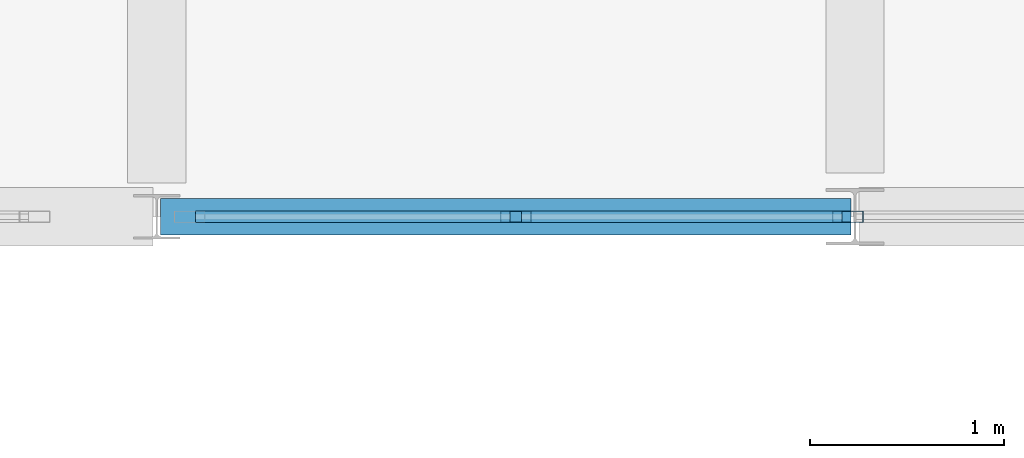
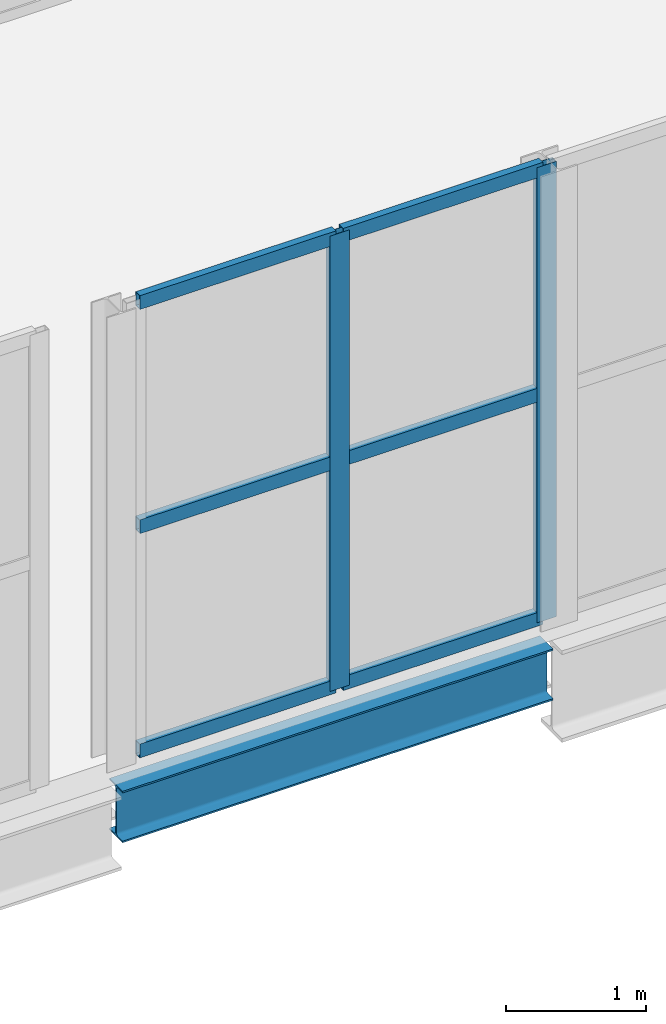
# One storey, part 53 of 138: 8 members, 1 beam, 1 element without a shape of its own.
"""IFC4 building model written with IfcOpenShell, lengths in metres."""

import ifcopenshell
import ifcopenshell.guid

model = None  # the IFC model being written
_history = None  # IfcOwnerHistory: only IFC2X3 demands one
_inside = {}  # id of a spatial element -> (the spatial element, [elements in it])
_under = {}  # id of a project, library or spatial element -> (it, [spatial elements below it])
_declared = {}  # id of a project -> (the project, [libraries it declares])
_typed = {}  # id of a type object -> (the type object, [elements of that type])
_made_of = {}  # id of a material, layer set ... -> (it, [elements and type objects made of it])


def new_model(schema):
    """Start an empty IFC model of exactly this schema.

    Asked for "IFC4X3", IfcOpenShell would pick the latest addendum, in which some entities
    have other attributes; the version numbers below select the first issue.
    IFC2X3 requires an IfcOwnerHistory on every rooted entity: one is made here for all.
    """
    global model, _history
    if schema == "IFC4X3":
        model = ifcopenshell.file(schema_version=(4, 3, 0, 0))
    else:
        model = ifcopenshell.file(schema=schema)
    _inside.clear()
    _under.clear()
    _declared.clear()
    _typed.clear()
    _made_of.clear()
    _history = None
    if model.schema == "IFC2X3":
        org = make("IfcOrganization", Name="unknown")
        user = make(
            "IfcPersonAndOrganization",
            ThePerson=make("IfcPerson", FamilyName="unknown"),
            TheOrganization=org,
        )
        app = make(
            "IfcApplication",
            ApplicationDeveloper=org,
            Version="unknown",
            ApplicationFullName="unknown",
            ApplicationIdentifier="unknown",
        )
        _history = make(
            "IfcOwnerHistory",
            OwningUser=user,
            OwningApplication=app,
            ChangeAction="ADDED",
            CreationDate=0,
        )
    return model


def make(cls, **values):
    """One entity of the class cls with the attributes given. An attribute that is None is left unset."""
    return model.create_entity(
        cls, **{name: value for name, value in values.items() if value is not None}
    )


def rooted(cls, **values):
    """An entity with a GlobalId (a new one), such as an element, a storey or a relation."""
    return make(cls, GlobalId=ifcopenshell.guid.new(), OwnerHistory=_history, **values)


def si_unit(unit_type, name, prefix=None):
    """IfcSIUnit, for example si_unit("LENGTHUNIT", "METRE", prefix="MILLI")."""
    return make("IfcSIUnit", UnitType=unit_type, Prefix=prefix, Name=name)


def assignment(units):
    """IfcUnitAssignment: the units of a project."""
    return None if units is None else make("IfcUnitAssignment", Units=units)


def point(xyz):
    """IfcCartesianPoint."""
    return None if xyz is None else make("IfcCartesianPoint", Coordinates=xyz)


def direction(xyz):
    """IfcDirection."""
    return None if xyz is None else make("IfcDirection", DirectionRatios=xyz)


def frame(location, z_axis=None, x_axis=None):
    """IfcAxis2Placement3D, a coordinate frame: its origin and axes. An axis left out is left unset."""
    return make(
        "IfcAxis2Placement3D",
        Location=point(location),
        Axis=direction(z_axis),
        RefDirection=direction(x_axis),
    )


def frame_2d(location, x_axis=None):
    """IfcAxis2Placement2D, a coordinate frame in the plane: its origin and x axis."""
    return make(
        "IfcAxis2Placement2D", Location=point(location), RefDirection=direction(x_axis)
    )


def origin():
    """The frame at (0, 0, 0) with its axes left unset."""
    return frame((0.0, 0.0, 0.0))


def origin_2d():
    """The frame at (0, 0) in the plane with its x axis left unset."""
    return frame_2d((0.0, 0.0))


def place(relative_to, where):
    """IfcLocalPlacement: puts the frame where relative to a parent placement (None: the world)."""
    return make(
        "IfcLocalPlacement", PlacementRelTo=relative_to, RelativePlacement=where
    )


def context(
    kind, dimensions, precision=None, world=None, true_north=None, identifier=None
):
    """IfcGeometricRepresentationContext, for example the 3D "Model" context."""
    return make(
        "IfcGeometricRepresentationContext",
        ContextIdentifier=identifier,
        ContextType=kind,
        CoordinateSpaceDimension=dimensions,
        Precision=precision,
        WorldCoordinateSystem=world,
        TrueNorth=true_north,
    )


def subcontext(parent, identifier, kind, view, scale=None):
    """IfcGeometricRepresentationSubContext, for example "Body" below "Model"."""
    return make(
        "IfcGeometricRepresentationSubContext",
        ContextIdentifier=identifier,
        ContextType=kind,
        ParentContext=parent,
        TargetScale=scale,
        TargetView=view,
    )


def project(units=None, contexts=None):
    """IfcProject with its units and contexts."""
    return rooted(
        "IfcProject",
        Name="project",
        RepresentationContexts=contexts,
        UnitsInContext=assignment(units),
    )


def spatial(cls, under=None, at=None, **own):
    """A site, building, storey or space (cls), placed at a placement, below another one or the project."""
    s = rooted(cls, ObjectPlacement=at, **own)
    if under is not None:
        _under.setdefault(under.id(), (under, []))[1].append(s)
    return s


def profile(cls, at=None, kind="AREA", **sizes):
    """A parametric profile (cls). Its sizes go by their IFC names, for example OverallWidth=200.0."""
    return make(cls, ProfileType=kind, Position=at, **sizes)


def hollow_rectangle(**sizes):
    """IfcRectangleHollowProfileDef."""
    return profile("IfcRectangleHollowProfileDef", **sizes)


def i_section(**sizes):
    """IfcIShapeProfileDef."""
    return profile("IfcIShapeProfileDef", **sizes)


def extrude(swept, where, along, depth):
    """IfcExtrudedAreaSolid: the profile swept, set in the frame where, extruded along a direction by depth."""
    return make(
        "IfcExtrudedAreaSolid",
        SweptArea=swept,
        Position=where,
        ExtrudedDirection=direction(along),
        Depth=depth,
    )


def shape(context_of_items, identifier, shape_type, items):
    """IfcShapeRepresentation: the items that make up one representation, for example the "Body"."""
    return make(
        "IfcShapeRepresentation",
        ContextOfItems=context_of_items,
        RepresentationIdentifier=identifier,
        RepresentationType=shape_type,
        Items=items,
    )


def material(Name=None, Category=None):
    """IfcMaterial."""
    return make("IfcMaterial", Name=Name, Category=Category)


def layer(
    of_material, thickness, ventilated=None, Name=None, Category=None, Priority=None
):
    """IfcMaterialLayer: one layer of a wall or slab, of a material (None: an air gap)."""
    return make(
        "IfcMaterialLayer",
        Material=of_material,
        LayerThickness=thickness,
        IsVentilated=ventilated,
        Name=Name,
        Category=Category,
        Priority=Priority,
    )


def layer_set(layers, Name=None):
    """IfcMaterialLayerSet."""
    return make("IfcMaterialLayerSet", MaterialLayers=layers, LayerSetName=Name)


def material_profile(
    of_material, cross_section, Name=None, Category=None, Priority=None
):
    """IfcMaterialProfile: a cross section and its material."""
    return make(
        "IfcMaterialProfile",
        Name=Name,
        Material=of_material,
        Profile=cross_section,
        Priority=Priority,
        Category=Category,
    )


def profile_set(profiles, Name=None, composite=None):
    """IfcMaterialProfileSet."""
    return make(
        "IfcMaterialProfileSet",
        Name=Name,
        MaterialProfiles=profiles,
        CompositeProfile=composite,
    )


def made_of(thing, what):
    """Note that an element or type object is made of a material, layer set ...; save() writes the relation."""
    if what is not None:
        _made_of.setdefault(what.id(), (what, []))[1].append(thing)
    return thing


def type_object(cls, material=None, **own):
    """A type object (cls), such as IfcWallType, which elements share."""
    return made_of(rooted(cls, **own), material)


def element(
    cls,
    number,
    at=None,
    inside=None,
    cuts=None,
    type_object=None,
    material=None,
    context=None,
    identifier="Body",
    shape_type=None,
    held_by="IfcProductDefinitionShape",
    body=None,
    shapes=None,
    **own,
):
    """One element of the class cls, such as IfcWall. Its Tag is "e" and its number.

    at: its placement. inside: the storey or other place that contains it. cuts: it is an
    opening in that element (IfcRelVoidsElement). A single representation is given by context,
    identifier, shape_type and body (its items); several are given by shapes. held_by: the class
    of the entity that holds the representations. save() writes the other relations.
    """
    e = rooted(cls, Tag="e%d" % number, ObjectPlacement=at, **own)
    if body is not None:
        shapes = [shape(context, identifier, shape_type, body)]
    if shapes is not None:
        e.Representation = make(held_by, Representations=shapes)
    if inside is not None:
        _inside.setdefault(inside.id(), (inside, []))[1].append(e)
    if cuts is not None:
        rooted(
            "IfcRelVoidsElement", RelatingBuildingElement=cuts, RelatedOpeningElement=e
        )
    if type_object is not None:
        _typed.setdefault(type_object.id(), (type_object, []))[1].append(e)
    return made_of(e, material)


def aggregate(whole, parts):
    """IfcRelAggregates: a whole, such as a stair, and the parts it consists of."""
    return rooted("IfcRelAggregates", RelatingObject=whole, RelatedObjects=parts)


def save(model, path):
    """Write the relations noted so far, then the file.

    IfcRelAggregates (storeys below a building ...), IfcRelContainedInSpatialStructure (elements
    in a storey), IfcRelDefinesByType, IfcRelAssociatesMaterial and IfcRelDeclares: one each for
    every whole, place, type object, material and project.
    """
    for whole, parts in _under.values():
        aggregate(whole, parts)
    for where, things in _inside.values():
        rooted(
            "IfcRelContainedInSpatialStructure",
            RelatedElements=things,
            RelatingStructure=where,
        )
    for kind, things in _typed.values():
        rooted("IfcRelDefinesByType", RelatedObjects=things, RelatingType=kind)
    for what, things in _made_of.values():
        rooted("IfcRelAssociatesMaterial", RelatedObjects=things, RelatingMaterial=what)
    for by, libraries in _declared.values():
        rooted("IfcRelDeclares", RelatingContext=by, RelatedDefinitions=libraries)
    model.write(path)


model = new_model("IFC4")

# Units and contexts
model_context = context("Model", 3, precision=1e-05, world=origin(), true_north=direction((0.0, 1.0)))
body_context = subcontext(model_context, "Body", "Model", "MODEL_VIEW")
ifc_project = project(units=[si_unit("LENGTHUNIT", "METRE"), si_unit("AREAUNIT", "SQUARE_METRE"), si_unit("VOLUMEUNIT", "CUBIC_METRE"), si_unit("PLANEANGLEUNIT", "RADIAN"), si_unit("MASSUNIT", "GRAM", prefix="KILO")], contexts=[model_context])

# Site, building, storey
site_placement = place(None, origin())
site = spatial("IfcSite", under=ifc_project, at=site_placement, CompositionType="ELEMENT")
building_placement = place(site_placement, origin())
building = spatial("IfcBuilding", under=site, at=building_placement, Name="Vinh Khe Railworks Police Headquarters", CompositionType="ELEMENT")
storey_placement = place(building_placement, frame((0.0, 0.0, 9.0)))
storey = spatial("IfcBuildingStorey", under=building, at=storey_placement, Name="L02", CompositionType="ELEMENT", Elevation=9.0)

# Curtain wall, members
ifc_material_1 = material(Name="Anodised aluminium and solar-control glass", Category="aluminium")
ifc_layer = layer(ifc_material_1, 0.159912109375)
ifc_layer_set = layer_set([ifc_layer], Name="Anodised aluminium and solar-control glass")
curtain_wall_type = type_object("IfcCurtainWallType", Name="CW-SHOPFRONT", PredefinedType="USERDEFINED", material=ifc_layer_set)
curtain_wall_placement = place(storey_placement, origin())
curtain_wall = element("IfcCurtainWall", 1, at=curtain_wall_placement, inside=storey, type_object=curtain_wall_type, Name="Link Bridge South Glazing L02 Bay 5", ObjectType="UNITISED GLAZING", PredefinedType="USERDEFINED")
ifc_material_2 = material(Name="Anodised aluminium 6063-T6", Category="aluminium")
ifc_material_profile_1 = material_profile(ifc_material_2, hollow_rectangle(XDim=0.06005859375, YDim=0.159912109375, WallThickness=0.00390625, at=origin_2d()), Name="CW-M 60x160x4")
ifc_profile_set_1 = profile_set([ifc_material_profile_1], Name="Anodised aluminium 6063-T6")
member_type_1 = type_object("IfcMemberType", Name="MULL-CWM-01", PredefinedType="MULLION", material=ifc_profile_set_1)
member_1_placement = place(storey_placement, frame((61.85205078125, 96.0, 0.0), z_axis=(0.0, 0.0, 1.0), x_axis=(0.0, 1.0, 0.0)))
member_1 = element("IfcMember", 2, at=member_1_placement, type_object=member_type_1, Name="CW-03 mullion 2", PredefinedType="MULLION", context=body_context, shape_type="SweptSolid", body=[
    extrude(hollow_rectangle(XDim=0.06005859375, YDim=0.159912109375, WallThickness=0.00390625, at=origin_2d()), origin(), (0.0, 0.0, 1.0), 3.97998046875),
])
member_2_placement = place(storey_placement, frame((63.56396484375, 96.0, 0.0), z_axis=(0.0, 0.0, 1.0), x_axis=(0.0, 1.0, 0.0)))
member_2 = element("IfcMember", 3, at=member_2_placement, type_object=member_type_1, Name="CW-03 mullion 3", PredefinedType="MULLION", context=body_context, shape_type="SweptSolid", body=[
    extrude(hollow_rectangle(XDim=0.06005859375, YDim=0.159912109375, WallThickness=0.00390625, at=origin_2d()), origin(), (0.0, 0.0, 1.0), 3.97998046875),
])

# Beam
ifc_material_3 = material(Name="Steel S355JR", Category="steel")
ifc_material_profile_2 = material_profile(ifc_material_3, i_section(OverallWidth=0.18994140625, OverallDepth=0.449951171875, WebThickness=0.009521484375, FlangeThickness=0.0146484375, FilletRadius=0.02099609375, at=origin_2d()), Name="IPE 450")
ifc_profile_set_2 = profile_set([ifc_material_profile_2], Name="Steel S355JR")
beam_type = type_object("IfcBeamType", Name="Steel Girder IPE 450", PredefinedType="BEAM", material=ifc_profile_set_2)
beam_placement = place(storey_placement, frame((60.02001953125, 96.0, -0.445068359375), z_axis=(1.0, 0.0, 0.0), x_axis=(0.0, 1.0, 0.0)))
element("IfcBeam", 4, at=beam_placement, inside=storey, type_object=beam_type, Name="Girder BM-L02-EW-SB-20-0810", PredefinedType="BEAM", context=body_context, shape_type="SweptSolid", body=[
    extrude(i_section(OverallWidth=0.18994140625, OverallDepth=0.449951171875, WebThickness=0.009521484375, FlangeThickness=0.0146484375, FilletRadius=0.02099609375, at=origin_2d()), origin(), (0.0, 0.0, 1.0), 3.56005859375),
])

# Member
ifc_material_profile_3 = material_profile(ifc_material_2, hollow_rectangle(XDim=0.06005859375, YDim=0.1201171875, WallThickness=0.00390625, at=origin_2d()), Name="CW-T 60x120x4")
ifc_profile_set_3 = profile_set([ifc_material_profile_3], Name="Anodised aluminium 6063-T6")
member_type_2 = type_object("IfcMemberType", Name="TRAN-CWT-01", PredefinedType="USERDEFINED", material=ifc_profile_set_3)
member_3_placement = place(storey_placement, frame((60.199951171875, 96.0, 0.030029296875), z_axis=(1.0, 0.0, 0.0), x_axis=(0.0, 1.0, 0.0)))
member_3 = element("IfcMember", 5, at=member_3_placement, type_object=member_type_2, Name="CW-03 transom 1.1", ObjectType="TRANSOM", PredefinedType="USERDEFINED", context=body_context, shape_type="SweptSolid", body=[
    extrude(hollow_rectangle(XDim=0.06005859375, YDim=0.1201171875, WallThickness=0.00390625, at=origin_2d()), origin(), (0.0, 0.0, 1.0), 1.6220703125),
])

member_4_placement = place(storey_placement, frame((60.199951171875, 96.0, 1.989990234375), z_axis=(1.0, 0.0, 0.0), x_axis=(0.0, 1.0, 0.0)))
member_4 = element("IfcMember", 6, at=member_4_placement, type_object=member_type_2, Name="CW-03 transom 1.2", ObjectType="TRANSOM", PredefinedType="USERDEFINED", context=body_context, shape_type="SweptSolid", body=[
    extrude(hollow_rectangle(XDim=0.06005859375, YDim=0.1201171875, WallThickness=0.00390625, at=origin_2d()), origin(), (0.0, 0.0, 1.0), 1.6220703125),
])

member_5_placement = place(storey_placement, frame((60.199951171875, 96.0, 3.949951171875), z_axis=(1.0, 0.0, 0.0), x_axis=(0.0, 1.0, 0.0)))
member_5 = element("IfcMember", 7, at=member_5_placement, type_object=member_type_2, Name="CW-03 transom 1.3", ObjectType="TRANSOM", PredefinedType="USERDEFINED", context=body_context, shape_type="SweptSolid", body=[
    extrude(hollow_rectangle(XDim=0.06005859375, YDim=0.1201171875, WallThickness=0.00390625, at=origin_2d()), origin(), (0.0, 0.0, 1.0), 1.6220703125),
])

member_6_placement = place(storey_placement, frame((61.882080078125, 96.0, 0.030029296875), z_axis=(1.0, 0.0, 0.0), x_axis=(0.0, 1.0, 0.0)))
member_6 = element("IfcMember", 8, at=member_6_placement, type_object=member_type_2, Name="CW-03 transom 2.1", ObjectType="TRANSOM", PredefinedType="USERDEFINED", context=body_context, shape_type="SweptSolid", body=[
    extrude(hollow_rectangle(XDim=0.06005859375, YDim=0.1201171875, WallThickness=0.00390625, at=origin_2d()), origin(), (0.0, 0.0, 1.0), 1.65185546875),
])

member_7_placement = place(storey_placement, frame((61.882080078125, 96.0, 1.989990234375), z_axis=(1.0, 0.0, 0.0), x_axis=(0.0, 1.0, 0.0)))
member_7 = element("IfcMember", 9, at=member_7_placement, type_object=member_type_2, Name="CW-03 transom 2.2", ObjectType="TRANSOM", PredefinedType="USERDEFINED", context=body_context, shape_type="SweptSolid", body=[
    extrude(hollow_rectangle(XDim=0.06005859375, YDim=0.1201171875, WallThickness=0.00390625, at=origin_2d()), origin(), (0.0, 0.0, 1.0), 1.65185546875),
])

member_8_placement = place(storey_placement, frame((61.882080078125, 96.0, 3.949951171875), z_axis=(1.0, 0.0, 0.0), x_axis=(0.0, 1.0, 0.0)))
member_8 = element("IfcMember", 10, at=member_8_placement, type_object=member_type_2, Name="CW-03 transom 2.3", ObjectType="TRANSOM", PredefinedType="USERDEFINED", context=body_context, shape_type="SweptSolid", body=[
    extrude(hollow_rectangle(XDim=0.06005859375, YDim=0.1201171875, WallThickness=0.00390625, at=origin_2d()), origin(), (0.0, 0.0, 1.0), 1.65185546875),
])

aggregate(curtain_wall, [member_1, member_2, member_3, member_4, member_5, member_6, member_7, member_8])

save(model, "model.ifc")
